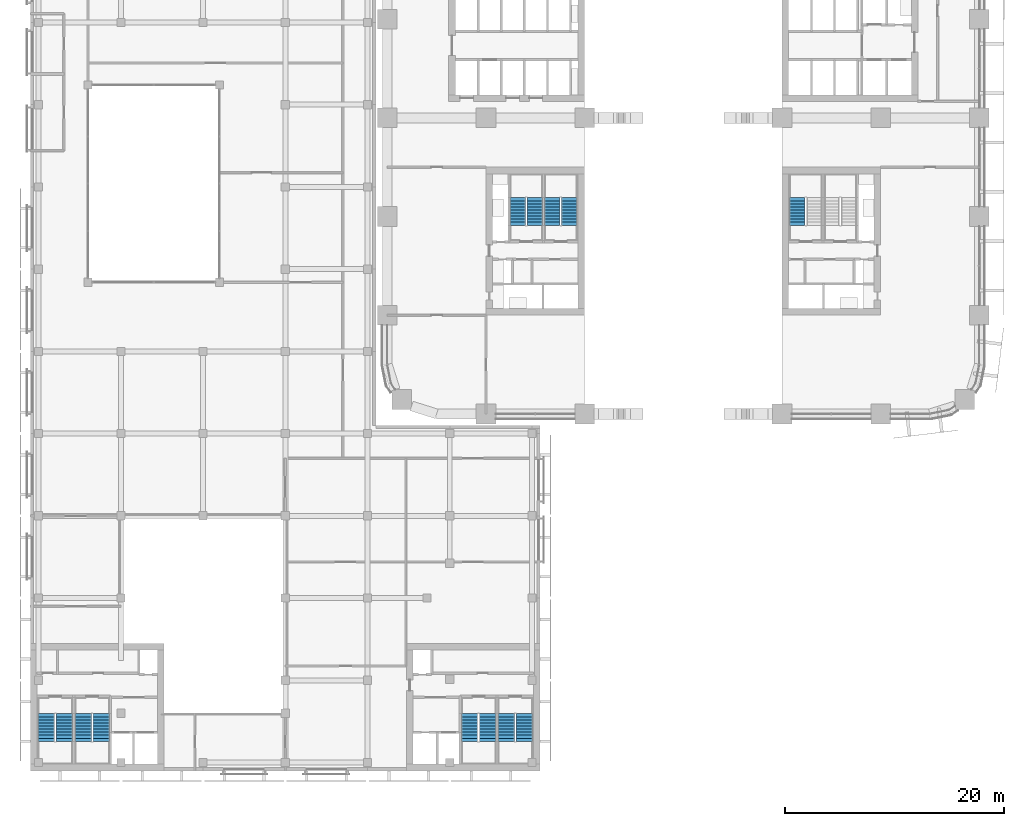
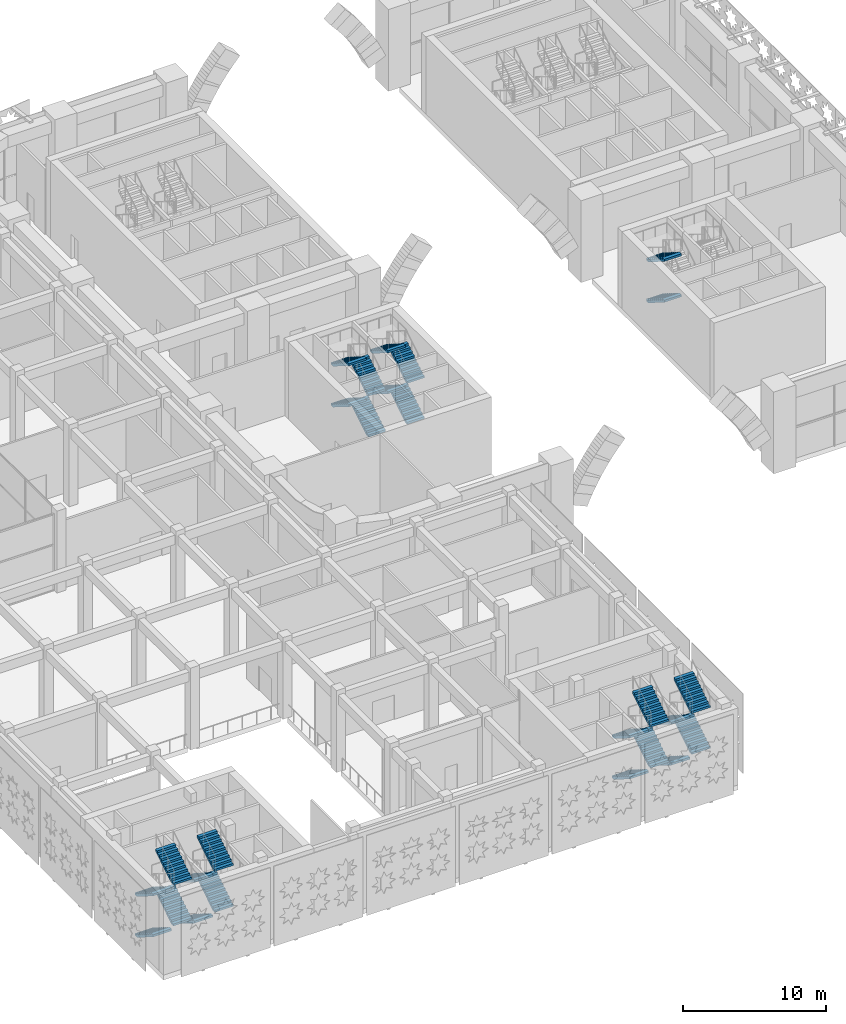
# One storey, part 24 of 42: 26 stair flights, 7 elements without a shape of their own.
"""IFC4 building model written with IfcOpenShell, lengths in metres."""

from ifc_helpers import new_model, si_unit, direction, frame, origin, place, context, subcontext, project, spatial, polyline, outline, extrude, material, type_object, element, aggregate, save


model = new_model("IFC4")

# Units and contexts
model_context = context("Model", 3, precision=1e-05, world=origin(), true_north=direction((0.0, 1.0)))
body_context = subcontext(model_context, "Body", "Model", "MODEL_VIEW")
ifc_project = project(units=[si_unit("LENGTHUNIT", "METRE"), si_unit("AREAUNIT", "SQUARE_METRE"), si_unit("VOLUMEUNIT", "CUBIC_METRE"), si_unit("PLANEANGLEUNIT", "RADIAN"), si_unit("MASSUNIT", "GRAM", prefix="KILO")], contexts=[model_context])

# Site, building, storey
site_placement = place(None, origin())
site = spatial("IfcSite", under=ifc_project, at=site_placement, CompositionType="ELEMENT")
building_placement = place(site_placement, origin())
building = spatial("IfcBuilding", under=site, at=building_placement, Name="Tessera Arch", CompositionType="ELEMENT")
storey_placement = place(building_placement, frame((0.0, 0.0, 14.0)))
storey = spatial("IfcBuildingStorey", under=building, at=storey_placement, Name="L02", CompositionType="ELEMENT", Elevation=14.0)

# Stair, stair flights
ifc_material_1 = material(Name="Concrete C40/50", Category="concrete")
stair_type_1 = type_object("IfcStairType", Name="Dogleg stair 1400", PredefinedType="HALF_TURN_STAIR", material=ifc_material_1)
stair_1_placement = place(storey_placement, origin())
stair_1 = element("IfcStair", 1, at=stair_1_placement, inside=storey, type_object=stair_type_1, Name="L02 S3a", PredefinedType="HALF_TURN_STAIR")
ifc_material_2 = material(Name="Concrete C40/50", Category="concrete")
stair_flight_type_1 = type_object("IfcStairFlightType", Name="Stair flight 1400", PredefinedType="STRAIGHT", material=ifc_material_2)
stair_flight_1_placement = place(storey_placement, frame((37.39990234375, 19.719970703125, 1.75), z_axis=(0.0, 0.0, 1.0), x_axis=(0.0, -1.0, 0.0)))
stair_flight_1 = element("IfcStairFlight", 2, at=stair_flight_1_placement, type_object=stair_flight_type_1, Name="S3a flight 2", NumberOfRisers=10, NumberOfTreads=9, PredefinedType="STRAIGHT", RiserHeight=0.175, TreadLength=0.28, context=body_context, shape_type="SweptSolid", body=[
    extrude(outline(polyline([(0.0, 0.0), (0.0, 0.175048828125), (0.280029296875, 0.175048828125), (0.280029296875, 0.35009765625), (0.56005859375, 0.35009765625), (0.56005859375, 0.52490234375), (0.840087890625, 0.52490234375), (0.840087890625, 0.699951171875), (1.1201171875, 0.699951171875), (1.1201171875, 0.875), (1.39990234375, 0.875), (1.39990234375, 1.050048828125), (1.679931640625, 1.050048828125), (1.679931640625, 1.22509765625), (1.9599609375, 1.22509765625), (1.9599609375, 1.39990234375), (2.239990234375, 1.39990234375), (2.239990234375, 1.574951171875), (2.52001953125, 1.574951171875), (2.52001953125, 1.75), (2.52001953125, 1.398193359375), (0.28271484375, 0.0), (0.0, 0.0)])), frame((0.0, 0.699951171875, 0.0), z_axis=(0.0, -1.0, 0.0), x_axis=(1.0, 0.0, 0.0)), (0.0, 0.0, 1.0), 1.39990234375),
])
stair_flight_2_placement = place(storey_placement, frame((37.39990234375, 19.719970703125, 5.25), z_axis=(0.0, 0.0, 1.0), x_axis=(0.0, -1.0, 0.0)))
stair_flight_2 = element("IfcStairFlight", 3, at=stair_flight_2_placement, type_object=stair_flight_type_1, Name="S3a flight 4", NumberOfRisers=10, NumberOfTreads=9, PredefinedType="STRAIGHT", RiserHeight=0.175, TreadLength=0.28, context=body_context, shape_type="SweptSolid", body=[
    extrude(outline(polyline([(0.0, 0.0), (0.0, 0.175048828125), (0.280029296875, 0.175048828125), (0.280029296875, 0.35009765625), (0.56005859375, 0.35009765625), (0.56005859375, 0.52490234375), (0.840087890625, 0.52490234375), (0.840087890625, 0.699951171875), (1.1201171875, 0.699951171875), (1.1201171875, 0.875), (1.39990234375, 0.875), (1.39990234375, 1.050048828125), (1.679931640625, 1.050048828125), (1.679931640625, 1.22509765625), (1.9599609375, 1.22509765625), (1.9599609375, 1.39990234375), (2.239990234375, 1.39990234375), (2.239990234375, 1.574951171875), (2.52001953125, 1.574951171875), (2.52001953125, 1.75), (2.52001953125, 1.398193359375), (0.28271484375, 0.0), (0.0, 0.0)])), frame((0.0, 0.699951171875, 0.0), z_axis=(0.0, -1.0, 0.0), x_axis=(1.0, 0.0, 0.0)), (0.0, 0.0, 1.0), 1.39990234375),
])
aggregate(stair_1, [stair_flight_1, stair_flight_2])

stair_2_placement = place(storey_placement, origin())
stair_2 = element("IfcStair", 4, at=stair_2_placement, inside=storey, type_object=stair_type_1, Name="L02 S4a", PredefinedType="HALF_TURN_STAIR")
stair_flight_3_placement = place(storey_placement, frame((16.60009765625, 17.199951171875, 0.0), z_axis=(0.0, 0.0, 1.0), x_axis=(0.0, 1.0, 0.0)))
stair_flight_3 = element("IfcStairFlight", 5, at=stair_flight_3_placement, type_object=stair_flight_type_1, Name="S4a flight 1", NumberOfRisers=10, NumberOfTreads=9, PredefinedType="STRAIGHT", RiserHeight=0.175, TreadLength=0.28, context=body_context, shape_type="SweptSolid", body=[
    extrude(outline(polyline([(0.0, 0.0), (0.0, 0.175048828125), (0.280029296875, 0.175048828125), (0.280029296875, 0.35009765625), (0.56005859375, 0.35009765625), (0.56005859375, 0.52490234375), (0.840087890625, 0.52490234375), (0.840087890625, 0.699951171875), (1.1201171875, 0.699951171875), (1.1201171875, 0.875), (1.39990234375, 0.875), (1.39990234375, 1.050048828125), (1.679931640625, 1.050048828125), (1.679931640625, 1.22509765625), (1.9599609375, 1.22509765625), (1.9599609375, 1.39990234375), (2.239990234375, 1.39990234375), (2.239990234375, 1.574951171875), (2.52001953125, 1.574951171875), (2.52001953125, 1.75), (2.52001953125, 1.398193359375), (0.28271484375, 0.0), (0.0, 0.0)])), frame((0.0, 0.699951171875, 0.0), z_axis=(0.0, -1.0, 0.0), x_axis=(1.0, 0.0, 0.0)), (0.0, 0.0, 1.0), 1.39990234375),
])
stair_flight_4_placement = place(storey_placement, frame((15.050048828125, 19.719970703125, 1.75), z_axis=(0.0, 0.0, 1.0), x_axis=(0.0, -1.0, 0.0)))
stair_flight_4 = element("IfcStairFlight", 6, at=stair_flight_4_placement, type_object=stair_flight_type_1, Name="S4a flight 2", NumberOfRisers=10, NumberOfTreads=9, PredefinedType="STRAIGHT", RiserHeight=0.175, TreadLength=0.28, context=body_context, shape_type="SweptSolid", body=[
    extrude(outline(polyline([(0.0, 0.0), (0.0, 0.175048828125), (0.280029296875, 0.175048828125), (0.280029296875, 0.35009765625), (0.56005859375, 0.35009765625), (0.56005859375, 0.52490234375), (0.840087890625, 0.52490234375), (0.840087890625, 0.699951171875), (1.1201171875, 0.699951171875), (1.1201171875, 0.875), (1.39990234375, 0.875), (1.39990234375, 1.050048828125), (1.679931640625, 1.050048828125), (1.679931640625, 1.22509765625), (1.9599609375, 1.22509765625), (1.9599609375, 1.39990234375), (2.239990234375, 1.39990234375), (2.239990234375, 1.574951171875), (2.52001953125, 1.574951171875), (2.52001953125, 1.75), (2.52001953125, 1.398193359375), (0.28271484375, 0.0), (0.0, 0.0)])), frame((0.0, 0.699951171875, 0.0), z_axis=(0.0, -1.0, 0.0), x_axis=(1.0, 0.0, 0.0)), (0.0, 0.0, 1.0), 1.39990234375),
])
stair_flight_5_placement = place(storey_placement, frame((16.60009765625, 17.199951171875, 3.5), z_axis=(0.0, 0.0, 1.0), x_axis=(0.0, 1.0, 0.0)))
stair_flight_5 = element("IfcStairFlight", 7, at=stair_flight_5_placement, type_object=stair_flight_type_1, Name="S4a flight 3", NumberOfRisers=10, NumberOfTreads=9, PredefinedType="STRAIGHT", RiserHeight=0.175, TreadLength=0.28, context=body_context, shape_type="SweptSolid", body=[
    extrude(outline(polyline([(0.0, 0.0), (0.0, 0.175048828125), (0.280029296875, 0.175048828125), (0.280029296875, 0.35009765625), (0.56005859375, 0.35009765625), (0.56005859375, 0.52490234375), (0.840087890625, 0.52490234375), (0.840087890625, 0.699951171875), (1.1201171875, 0.699951171875), (1.1201171875, 0.875), (1.39990234375, 0.875), (1.39990234375, 1.050048828125), (1.679931640625, 1.050048828125), (1.679931640625, 1.22509765625), (1.9599609375, 1.22509765625), (1.9599609375, 1.39990234375), (2.239990234375, 1.39990234375), (2.239990234375, 1.574951171875), (2.52001953125, 1.574951171875), (2.52001953125, 1.75), (2.52001953125, 1.398193359375), (0.28271484375, 0.0), (0.0, 0.0)])), frame((0.0, 0.699951171875, 0.0), z_axis=(0.0, -1.0, 0.0), x_axis=(1.0, 0.0, 0.0)), (0.0, 0.0, 1.0), 1.39990234375),
])
stair_flight_6_placement = place(storey_placement, frame((15.050048828125, 19.719970703125, 5.25), z_axis=(0.0, 0.0, 1.0), x_axis=(0.0, -1.0, 0.0)))
stair_flight_6 = element("IfcStairFlight", 8, at=stair_flight_6_placement, type_object=stair_flight_type_1, Name="S4a flight 4", NumberOfRisers=10, NumberOfTreads=9, PredefinedType="STRAIGHT", RiserHeight=0.175, TreadLength=0.28, context=body_context, shape_type="SweptSolid", body=[
    extrude(outline(polyline([(0.0, 0.0), (0.0, 0.175048828125), (0.280029296875, 0.175048828125), (0.280029296875, 0.35009765625), (0.56005859375, 0.35009765625), (0.56005859375, 0.52490234375), (0.840087890625, 0.52490234375), (0.840087890625, 0.699951171875), (1.1201171875, 0.699951171875), (1.1201171875, 0.875), (1.39990234375, 0.875), (1.39990234375, 1.050048828125), (1.679931640625, 1.050048828125), (1.679931640625, 1.22509765625), (1.9599609375, 1.22509765625), (1.9599609375, 1.39990234375), (2.239990234375, 1.39990234375), (2.239990234375, 1.574951171875), (2.52001953125, 1.574951171875), (2.52001953125, 1.75), (2.52001953125, 1.398193359375), (0.28271484375, 0.0), (0.0, 0.0)])), frame((0.0, 0.699951171875, 0.0), z_axis=(0.0, -1.0, 0.0), x_axis=(1.0, 0.0, 0.0)), (0.0, 0.0, 1.0), 1.39990234375),
])
aggregate(stair_2, [stair_flight_3, stair_flight_4, stair_flight_5, stair_flight_6])

stair_3_placement = place(storey_placement, origin())
stair_3 = element("IfcStair", 9, at=stair_3_placement, inside=storey, type_object=stair_type_1, Name="L02 S4b", PredefinedType="HALF_TURN_STAIR")
stair_flight_7_placement = place(storey_placement, frame((13.449951171875, 17.199951171875, 0.0), z_axis=(0.0, 0.0, 1.0), x_axis=(0.0, 1.0, 0.0)))
stair_flight_7 = element("IfcStairFlight", 10, at=stair_flight_7_placement, type_object=stair_flight_type_1, Name="S4b flight 1", NumberOfRisers=10, NumberOfTreads=9, PredefinedType="STRAIGHT", RiserHeight=0.175, TreadLength=0.28, context=body_context, shape_type="SweptSolid", body=[
    extrude(outline(polyline([(0.0, 0.0), (0.0, 0.175048828125), (0.280029296875, 0.175048828125), (0.280029296875, 0.35009765625), (0.56005859375, 0.35009765625), (0.56005859375, 0.52490234375), (0.840087890625, 0.52490234375), (0.840087890625, 0.699951171875), (1.1201171875, 0.699951171875), (1.1201171875, 0.875), (1.39990234375, 0.875), (1.39990234375, 1.050048828125), (1.679931640625, 1.050048828125), (1.679931640625, 1.22509765625), (1.9599609375, 1.22509765625), (1.9599609375, 1.39990234375), (2.239990234375, 1.39990234375), (2.239990234375, 1.574951171875), (2.52001953125, 1.574951171875), (2.52001953125, 1.75), (2.52001953125, 1.398193359375), (0.28271484375, 0.0), (0.0, 0.0)])), frame((0.0, 0.699951171875, 0.0), z_axis=(0.0, -1.0, 0.0), x_axis=(1.0, 0.0, 0.0)), (0.0, 0.0, 1.0), 1.39990234375),
])
stair_flight_8_placement = place(storey_placement, frame((11.89990234375, 19.719970703125, 1.75), z_axis=(0.0, 0.0, 1.0), x_axis=(0.0, -1.0, 0.0)))
stair_flight_8 = element("IfcStairFlight", 11, at=stair_flight_8_placement, type_object=stair_flight_type_1, Name="S4b flight 2", NumberOfRisers=10, NumberOfTreads=9, PredefinedType="STRAIGHT", RiserHeight=0.175, TreadLength=0.28, context=body_context, shape_type="SweptSolid", body=[
    extrude(outline(polyline([(0.0, 0.0), (0.0, 0.175048828125), (0.280029296875, 0.175048828125), (0.280029296875, 0.35009765625), (0.56005859375, 0.35009765625), (0.56005859375, 0.52490234375), (0.840087890625, 0.52490234375), (0.840087890625, 0.699951171875), (1.1201171875, 0.699951171875), (1.1201171875, 0.875), (1.39990234375, 0.875), (1.39990234375, 1.050048828125), (1.679931640625, 1.050048828125), (1.679931640625, 1.22509765625), (1.9599609375, 1.22509765625), (1.9599609375, 1.39990234375), (2.239990234375, 1.39990234375), (2.239990234375, 1.574951171875), (2.52001953125, 1.574951171875), (2.52001953125, 1.75), (2.52001953125, 1.398193359375), (0.28271484375, 0.0), (0.0, 0.0)])), frame((0.0, 0.699951171875, 0.0), z_axis=(0.0, -1.0, 0.0), x_axis=(1.0, 0.0, 0.0)), (0.0, 0.0, 1.0), 1.39990234375),
])
stair_flight_9_placement = place(storey_placement, frame((13.449951171875, 17.199951171875, 3.5), z_axis=(0.0, 0.0, 1.0), x_axis=(0.0, 1.0, 0.0)))
stair_flight_9 = element("IfcStairFlight", 12, at=stair_flight_9_placement, type_object=stair_flight_type_1, Name="S4b flight 3", NumberOfRisers=10, NumberOfTreads=9, PredefinedType="STRAIGHT", RiserHeight=0.175, TreadLength=0.28, context=body_context, shape_type="SweptSolid", body=[
    extrude(outline(polyline([(0.0, 0.0), (0.0, 0.175048828125), (0.280029296875, 0.175048828125), (0.280029296875, 0.35009765625), (0.56005859375, 0.35009765625), (0.56005859375, 0.52490234375), (0.840087890625, 0.52490234375), (0.840087890625, 0.699951171875), (1.1201171875, 0.699951171875), (1.1201171875, 0.875), (1.39990234375, 0.875), (1.39990234375, 1.050048828125), (1.679931640625, 1.050048828125), (1.679931640625, 1.22509765625), (1.9599609375, 1.22509765625), (1.9599609375, 1.39990234375), (2.239990234375, 1.39990234375), (2.239990234375, 1.574951171875), (2.52001953125, 1.574951171875), (2.52001953125, 1.75), (2.52001953125, 1.398193359375), (0.28271484375, 0.0), (0.0, 0.0)])), frame((0.0, 0.699951171875, 0.0), z_axis=(0.0, -1.0, 0.0), x_axis=(1.0, 0.0, 0.0)), (0.0, 0.0, 1.0), 1.39990234375),
])
stair_flight_10_placement = place(storey_placement, frame((11.89990234375, 19.719970703125, 5.25), z_axis=(0.0, 0.0, 1.0), x_axis=(0.0, -1.0, 0.0)))
stair_flight_10 = element("IfcStairFlight", 13, at=stair_flight_10_placement, type_object=stair_flight_type_1, Name="S4b flight 4", NumberOfRisers=10, NumberOfTreads=9, PredefinedType="STRAIGHT", RiserHeight=0.175, TreadLength=0.28, context=body_context, shape_type="SweptSolid", body=[
    extrude(outline(polyline([(0.0, 0.0), (0.0, 0.175048828125), (0.280029296875, 0.175048828125), (0.280029296875, 0.35009765625), (0.56005859375, 0.35009765625), (0.56005859375, 0.52490234375), (0.840087890625, 0.52490234375), (0.840087890625, 0.699951171875), (1.1201171875, 0.699951171875), (1.1201171875, 0.875), (1.39990234375, 0.875), (1.39990234375, 1.050048828125), (1.679931640625, 1.050048828125), (1.679931640625, 1.22509765625), (1.9599609375, 1.22509765625), (1.9599609375, 1.39990234375), (2.239990234375, 1.39990234375), (2.239990234375, 1.574951171875), (2.52001953125, 1.574951171875), (2.52001953125, 1.75), (2.52001953125, 1.398193359375), (0.28271484375, 0.0), (0.0, 0.0)])), frame((0.0, 0.699951171875, 0.0), z_axis=(0.0, -1.0, 0.0), x_axis=(1.0, 0.0, 0.0)), (0.0, 0.0, 1.0), 1.39990234375),
])
aggregate(stair_3, [stair_flight_7, stair_flight_8, stair_flight_9, stair_flight_10])

ifc_material_3 = material(Name="Concrete C40/50", Category="concrete")
stair_type_2 = type_object("IfcStairType", Name="Dogleg stair 1500", PredefinedType="HALF_TURN_STAIR", material=ifc_material_3)
stair_4_placement = place(storey_placement, origin())
stair_4 = element("IfcStair", 14, at=stair_4_placement, inside=storey, type_object=stair_type_2, Name="L02 M2a", PredefinedType="HALF_TURN_STAIR")
ifc_material_4 = material(Name="Concrete C40/50", Category="concrete")
stair_flight_type_2 = type_object("IfcStairFlightType", Name="Stair flight 1500", PredefinedType="STRAIGHT", material=ifc_material_4)
stair_flight_11_placement = place(storey_placement, frame((-31.10009765625, -27.35009765625, 0.0), z_axis=(0.0, 0.0, 1.0), x_axis=(0.0, -1.0, 0.0)))
stair_flight_11 = element("IfcStairFlight", 15, at=stair_flight_11_placement, type_object=stair_flight_type_2, Name="M2a flight 1", NumberOfRisers=10, NumberOfTreads=9, PredefinedType="STRAIGHT", RiserHeight=0.175, TreadLength=0.28, context=body_context, shape_type="SweptSolid", body=[
    extrude(outline(polyline([(0.0, 0.0), (0.0, 0.175048828125), (0.280029296875, 0.175048828125), (0.280029296875, 0.35009765625), (0.56005859375, 0.35009765625), (0.56005859375, 0.52490234375), (0.840087890625, 0.52490234375), (0.840087890625, 0.699951171875), (1.1201171875, 0.699951171875), (1.1201171875, 0.875), (1.39990234375, 0.875), (1.39990234375, 1.050048828125), (1.679931640625, 1.050048828125), (1.679931640625, 1.22509765625), (1.9599609375, 1.22509765625), (1.9599609375, 1.39990234375), (2.239990234375, 1.39990234375), (2.239990234375, 1.574951171875), (2.52001953125, 1.574951171875), (2.52001953125, 1.75), (2.52001953125, 1.398193359375), (0.28271484375, 0.0), (0.0, 0.0)])), frame((0.0, 0.75, 0.0), z_axis=(0.0, -1.0, 0.0), x_axis=(1.0, 0.0, 0.0)), (0.0, 0.0, 1.0), 1.5),
])
stair_flight_12_placement = place(storey_placement, frame((-29.449951171875, -29.8701171875, 1.75), z_axis=(0.0, 0.0, 1.0), x_axis=(0.0, 1.0, 0.0)))
stair_flight_12 = element("IfcStairFlight", 16, at=stair_flight_12_placement, type_object=stair_flight_type_2, Name="M2a flight 2", NumberOfRisers=10, NumberOfTreads=9, PredefinedType="STRAIGHT", RiserHeight=0.175, TreadLength=0.28, context=body_context, shape_type="SweptSolid", body=[
    extrude(outline(polyline([(0.0, 0.0), (0.0, 0.175048828125), (0.280029296875, 0.175048828125), (0.280029296875, 0.35009765625), (0.56005859375, 0.35009765625), (0.56005859375, 0.52490234375), (0.840087890625, 0.52490234375), (0.840087890625, 0.699951171875), (1.1201171875, 0.699951171875), (1.1201171875, 0.875), (1.39990234375, 0.875), (1.39990234375, 1.050048828125), (1.679931640625, 1.050048828125), (1.679931640625, 1.22509765625), (1.9599609375, 1.22509765625), (1.9599609375, 1.39990234375), (2.239990234375, 1.39990234375), (2.239990234375, 1.574951171875), (2.52001953125, 1.574951171875), (2.52001953125, 1.75), (2.52001953125, 1.398193359375), (0.28271484375, 0.0), (0.0, 0.0)])), frame((0.0, 0.75, 0.0), z_axis=(0.0, -1.0, 0.0), x_axis=(1.0, 0.0, 0.0)), (0.0, 0.0, 1.0), 1.5),
])
stair_flight_13_placement = place(storey_placement, frame((-31.10009765625, -27.35009765625, 3.5), z_axis=(0.0, 0.0, 1.0), x_axis=(0.0, -1.0, 0.0)))
stair_flight_13 = element("IfcStairFlight", 17, at=stair_flight_13_placement, type_object=stair_flight_type_2, Name="M2a flight 3", NumberOfRisers=10, NumberOfTreads=9, PredefinedType="STRAIGHT", RiserHeight=0.175, TreadLength=0.28, context=body_context, shape_type="SweptSolid", body=[
    extrude(outline(polyline([(0.0, 0.0), (0.0, 0.175048828125), (0.280029296875, 0.175048828125), (0.280029296875, 0.35009765625), (0.56005859375, 0.35009765625), (0.56005859375, 0.52490234375), (0.840087890625, 0.52490234375), (0.840087890625, 0.699951171875), (1.1201171875, 0.699951171875), (1.1201171875, 0.875), (1.39990234375, 0.875), (1.39990234375, 1.050048828125), (1.679931640625, 1.050048828125), (1.679931640625, 1.22509765625), (1.9599609375, 1.22509765625), (1.9599609375, 1.39990234375), (2.239990234375, 1.39990234375), (2.239990234375, 1.574951171875), (2.52001953125, 1.574951171875), (2.52001953125, 1.75), (2.52001953125, 1.398193359375), (0.28271484375, 0.0), (0.0, 0.0)])), frame((0.0, 0.75, 0.0), z_axis=(0.0, -1.0, 0.0), x_axis=(1.0, 0.0, 0.0)), (0.0, 0.0, 1.0), 1.5),
])
stair_flight_14_placement = place(storey_placement, frame((-29.449951171875, -29.8701171875, 5.25), z_axis=(0.0, 0.0, 1.0), x_axis=(0.0, 1.0, 0.0)))
stair_flight_14 = element("IfcStairFlight", 18, at=stair_flight_14_placement, type_object=stair_flight_type_2, Name="M2a flight 4", NumberOfRisers=10, NumberOfTreads=9, PredefinedType="STRAIGHT", RiserHeight=0.175, TreadLength=0.28, context=body_context, shape_type="SweptSolid", body=[
    extrude(outline(polyline([(0.0, 0.0), (0.0, 0.175048828125), (0.280029296875, 0.175048828125), (0.280029296875, 0.35009765625), (0.56005859375, 0.35009765625), (0.56005859375, 0.52490234375), (0.840087890625, 0.52490234375), (0.840087890625, 0.699951171875), (1.1201171875, 0.699951171875), (1.1201171875, 0.875), (1.39990234375, 0.875), (1.39990234375, 1.050048828125), (1.679931640625, 1.050048828125), (1.679931640625, 1.22509765625), (1.9599609375, 1.22509765625), (1.9599609375, 1.39990234375), (2.239990234375, 1.39990234375), (2.239990234375, 1.574951171875), (2.52001953125, 1.574951171875), (2.52001953125, 1.75), (2.52001953125, 1.398193359375), (0.28271484375, 0.0), (0.0, 0.0)])), frame((0.0, 0.75, 0.0), z_axis=(0.0, -1.0, 0.0), x_axis=(1.0, 0.0, 0.0)), (0.0, 0.0, 1.0), 1.5),
])
aggregate(stair_4, [stair_flight_11, stair_flight_12, stair_flight_13, stair_flight_14])

stair_5_placement = place(storey_placement, origin())
stair_5 = element("IfcStair", 19, at=stair_5_placement, inside=storey, type_object=stair_type_2, Name="L02 M2b", PredefinedType="HALF_TURN_STAIR")
stair_flight_15_placement = place(storey_placement, frame((-27.75, -27.35009765625, 0.0), z_axis=(0.0, 0.0, 1.0), x_axis=(0.0, -1.0, 0.0)))
stair_flight_15 = element("IfcStairFlight", 20, at=stair_flight_15_placement, type_object=stair_flight_type_2, Name="M2b flight 1", NumberOfRisers=10, NumberOfTreads=9, PredefinedType="STRAIGHT", RiserHeight=0.175, TreadLength=0.28, context=body_context, shape_type="SweptSolid", body=[
    extrude(outline(polyline([(0.0, 0.0), (0.0, 0.175048828125), (0.280029296875, 0.175048828125), (0.280029296875, 0.35009765625), (0.56005859375, 0.35009765625), (0.56005859375, 0.52490234375), (0.840087890625, 0.52490234375), (0.840087890625, 0.699951171875), (1.1201171875, 0.699951171875), (1.1201171875, 0.875), (1.39990234375, 0.875), (1.39990234375, 1.050048828125), (1.679931640625, 1.050048828125), (1.679931640625, 1.22509765625), (1.9599609375, 1.22509765625), (1.9599609375, 1.39990234375), (2.239990234375, 1.39990234375), (2.239990234375, 1.574951171875), (2.52001953125, 1.574951171875), (2.52001953125, 1.75), (2.52001953125, 1.398193359375), (0.28271484375, 0.0), (0.0, 0.0)])), frame((0.0, 0.75, 0.0), z_axis=(0.0, -1.0, 0.0), x_axis=(1.0, 0.0, 0.0)), (0.0, 0.0, 1.0), 1.5),
])
stair_flight_16_placement = place(storey_placement, frame((-26.10009765625, -29.8701171875, 1.75), z_axis=(0.0, 0.0, 1.0), x_axis=(0.0, 1.0, 0.0)))
stair_flight_16 = element("IfcStairFlight", 21, at=stair_flight_16_placement, type_object=stair_flight_type_2, Name="M2b flight 2", NumberOfRisers=10, NumberOfTreads=9, PredefinedType="STRAIGHT", RiserHeight=0.175, TreadLength=0.28, context=body_context, shape_type="SweptSolid", body=[
    extrude(outline(polyline([(0.0, 0.0), (0.0, 0.175048828125), (0.280029296875, 0.175048828125), (0.280029296875, 0.35009765625), (0.56005859375, 0.35009765625), (0.56005859375, 0.52490234375), (0.840087890625, 0.52490234375), (0.840087890625, 0.699951171875), (1.1201171875, 0.699951171875), (1.1201171875, 0.875), (1.39990234375, 0.875), (1.39990234375, 1.050048828125), (1.679931640625, 1.050048828125), (1.679931640625, 1.22509765625), (1.9599609375, 1.22509765625), (1.9599609375, 1.39990234375), (2.239990234375, 1.39990234375), (2.239990234375, 1.574951171875), (2.52001953125, 1.574951171875), (2.52001953125, 1.75), (2.52001953125, 1.398193359375), (0.28271484375, 0.0), (0.0, 0.0)])), frame((0.0, 0.75, 0.0), z_axis=(0.0, -1.0, 0.0), x_axis=(1.0, 0.0, 0.0)), (0.0, 0.0, 1.0), 1.5),
])
stair_flight_17_placement = place(storey_placement, frame((-27.75, -27.35009765625, 3.5), z_axis=(0.0, 0.0, 1.0), x_axis=(0.0, -1.0, 0.0)))
stair_flight_17 = element("IfcStairFlight", 22, at=stair_flight_17_placement, type_object=stair_flight_type_2, Name="M2b flight 3", NumberOfRisers=10, NumberOfTreads=9, PredefinedType="STRAIGHT", RiserHeight=0.175, TreadLength=0.28, context=body_context, shape_type="SweptSolid", body=[
    extrude(outline(polyline([(0.0, 0.0), (0.0, 0.175048828125), (0.280029296875, 0.175048828125), (0.280029296875, 0.35009765625), (0.56005859375, 0.35009765625), (0.56005859375, 0.52490234375), (0.840087890625, 0.52490234375), (0.840087890625, 0.699951171875), (1.1201171875, 0.699951171875), (1.1201171875, 0.875), (1.39990234375, 0.875), (1.39990234375, 1.050048828125), (1.679931640625, 1.050048828125), (1.679931640625, 1.22509765625), (1.9599609375, 1.22509765625), (1.9599609375, 1.39990234375), (2.239990234375, 1.39990234375), (2.239990234375, 1.574951171875), (2.52001953125, 1.574951171875), (2.52001953125, 1.75), (2.52001953125, 1.398193359375), (0.28271484375, 0.0), (0.0, 0.0)])), frame((0.0, 0.75, 0.0), z_axis=(0.0, -1.0, 0.0), x_axis=(1.0, 0.0, 0.0)), (0.0, 0.0, 1.0), 1.5),
])
stair_flight_18_placement = place(storey_placement, frame((-26.10009765625, -29.8701171875, 5.25), z_axis=(0.0, 0.0, 1.0), x_axis=(0.0, 1.0, 0.0)))
stair_flight_18 = element("IfcStairFlight", 23, at=stair_flight_18_placement, type_object=stair_flight_type_2, Name="M2b flight 4", NumberOfRisers=10, NumberOfTreads=9, PredefinedType="STRAIGHT", RiserHeight=0.175, TreadLength=0.28, context=body_context, shape_type="SweptSolid", body=[
    extrude(outline(polyline([(0.0, 0.0), (0.0, 0.175048828125), (0.280029296875, 0.175048828125), (0.280029296875, 0.35009765625), (0.56005859375, 0.35009765625), (0.56005859375, 0.52490234375), (0.840087890625, 0.52490234375), (0.840087890625, 0.699951171875), (1.1201171875, 0.699951171875), (1.1201171875, 0.875), (1.39990234375, 0.875), (1.39990234375, 1.050048828125), (1.679931640625, 1.050048828125), (1.679931640625, 1.22509765625), (1.9599609375, 1.22509765625), (1.9599609375, 1.39990234375), (2.239990234375, 1.39990234375), (2.239990234375, 1.574951171875), (2.52001953125, 1.574951171875), (2.52001953125, 1.75), (2.52001953125, 1.398193359375), (0.28271484375, 0.0), (0.0, 0.0)])), frame((0.0, 0.75, 0.0), z_axis=(0.0, -1.0, 0.0), x_axis=(1.0, 0.0, 0.0)), (0.0, 0.0, 1.0), 1.5),
])
aggregate(stair_5, [stair_flight_15, stair_flight_16, stair_flight_17, stair_flight_18])

stair_6_placement = place(storey_placement, origin())
stair_6 = element("IfcStair", 24, at=stair_6_placement, inside=storey, type_object=stair_type_2, Name="L02 M3a", PredefinedType="HALF_TURN_STAIR")
stair_flight_19_placement = place(storey_placement, frame((10.85009765625, -27.35009765625, 0.0), z_axis=(0.0, 0.0, 1.0), x_axis=(0.0, -1.0, 0.0)))
stair_flight_19 = element("IfcStairFlight", 25, at=stair_flight_19_placement, type_object=stair_flight_type_2, Name="M3a flight 1", NumberOfRisers=10, NumberOfTreads=9, PredefinedType="STRAIGHT", RiserHeight=0.175, TreadLength=0.28, context=body_context, shape_type="SweptSolid", body=[
    extrude(outline(polyline([(0.0, 0.0), (0.0, 0.175048828125), (0.280029296875, 0.175048828125), (0.280029296875, 0.35009765625), (0.56005859375, 0.35009765625), (0.56005859375, 0.52490234375), (0.840087890625, 0.52490234375), (0.840087890625, 0.699951171875), (1.1201171875, 0.699951171875), (1.1201171875, 0.875), (1.39990234375, 0.875), (1.39990234375, 1.050048828125), (1.679931640625, 1.050048828125), (1.679931640625, 1.22509765625), (1.9599609375, 1.22509765625), (1.9599609375, 1.39990234375), (2.239990234375, 1.39990234375), (2.239990234375, 1.574951171875), (2.52001953125, 1.574951171875), (2.52001953125, 1.75), (2.52001953125, 1.398193359375), (0.28271484375, 0.0), (0.0, 0.0)])), frame((0.0, 0.75, 0.0), z_axis=(0.0, -1.0, 0.0), x_axis=(1.0, 0.0, 0.0)), (0.0, 0.0, 1.0), 1.5),
])
stair_flight_20_placement = place(storey_placement, frame((12.5, -29.8701171875, 1.75), z_axis=(0.0, 0.0, 1.0), x_axis=(0.0, 1.0, 0.0)))
stair_flight_20 = element("IfcStairFlight", 26, at=stair_flight_20_placement, type_object=stair_flight_type_2, Name="M3a flight 2", NumberOfRisers=10, NumberOfTreads=9, PredefinedType="STRAIGHT", RiserHeight=0.175, TreadLength=0.28, context=body_context, shape_type="SweptSolid", body=[
    extrude(outline(polyline([(0.0, 0.0), (0.0, 0.175048828125), (0.280029296875, 0.175048828125), (0.280029296875, 0.35009765625), (0.56005859375, 0.35009765625), (0.56005859375, 0.52490234375), (0.840087890625, 0.52490234375), (0.840087890625, 0.699951171875), (1.1201171875, 0.699951171875), (1.1201171875, 0.875), (1.39990234375, 0.875), (1.39990234375, 1.050048828125), (1.679931640625, 1.050048828125), (1.679931640625, 1.22509765625), (1.9599609375, 1.22509765625), (1.9599609375, 1.39990234375), (2.239990234375, 1.39990234375), (2.239990234375, 1.574951171875), (2.52001953125, 1.574951171875), (2.52001953125, 1.75), (2.52001953125, 1.398193359375), (0.28271484375, 0.0), (0.0, 0.0)])), frame((0.0, 0.75, 0.0), z_axis=(0.0, -1.0, 0.0), x_axis=(1.0, 0.0, 0.0)), (0.0, 0.0, 1.0), 1.5),
])
stair_flight_21_placement = place(storey_placement, frame((10.85009765625, -27.35009765625, 3.5), z_axis=(0.0, 0.0, 1.0), x_axis=(0.0, -1.0, 0.0)))
stair_flight_21 = element("IfcStairFlight", 27, at=stair_flight_21_placement, type_object=stair_flight_type_2, Name="M3a flight 3", NumberOfRisers=10, NumberOfTreads=9, PredefinedType="STRAIGHT", RiserHeight=0.175, TreadLength=0.28, context=body_context, shape_type="SweptSolid", body=[
    extrude(outline(polyline([(0.0, 0.0), (0.0, 0.175048828125), (0.280029296875, 0.175048828125), (0.280029296875, 0.35009765625), (0.56005859375, 0.35009765625), (0.56005859375, 0.52490234375), (0.840087890625, 0.52490234375), (0.840087890625, 0.699951171875), (1.1201171875, 0.699951171875), (1.1201171875, 0.875), (1.39990234375, 0.875), (1.39990234375, 1.050048828125), (1.679931640625, 1.050048828125), (1.679931640625, 1.22509765625), (1.9599609375, 1.22509765625), (1.9599609375, 1.39990234375), (2.239990234375, 1.39990234375), (2.239990234375, 1.574951171875), (2.52001953125, 1.574951171875), (2.52001953125, 1.75), (2.52001953125, 1.398193359375), (0.28271484375, 0.0), (0.0, 0.0)])), frame((0.0, 0.75, 0.0), z_axis=(0.0, -1.0, 0.0), x_axis=(1.0, 0.0, 0.0)), (0.0, 0.0, 1.0), 1.5),
])
stair_flight_22_placement = place(storey_placement, frame((12.5, -29.8701171875, 5.25), z_axis=(0.0, 0.0, 1.0), x_axis=(0.0, 1.0, 0.0)))
stair_flight_22 = element("IfcStairFlight", 28, at=stair_flight_22_placement, type_object=stair_flight_type_2, Name="M3a flight 4", NumberOfRisers=10, NumberOfTreads=9, PredefinedType="STRAIGHT", RiserHeight=0.175, TreadLength=0.28, context=body_context, shape_type="SweptSolid", body=[
    extrude(outline(polyline([(0.0, 0.0), (0.0, 0.175048828125), (0.280029296875, 0.175048828125), (0.280029296875, 0.35009765625), (0.56005859375, 0.35009765625), (0.56005859375, 0.52490234375), (0.840087890625, 0.52490234375), (0.840087890625, 0.699951171875), (1.1201171875, 0.699951171875), (1.1201171875, 0.875), (1.39990234375, 0.875), (1.39990234375, 1.050048828125), (1.679931640625, 1.050048828125), (1.679931640625, 1.22509765625), (1.9599609375, 1.22509765625), (1.9599609375, 1.39990234375), (2.239990234375, 1.39990234375), (2.239990234375, 1.574951171875), (2.52001953125, 1.574951171875), (2.52001953125, 1.75), (2.52001953125, 1.398193359375), (0.28271484375, 0.0), (0.0, 0.0)])), frame((0.0, 0.75, 0.0), z_axis=(0.0, -1.0, 0.0), x_axis=(1.0, 0.0, 0.0)), (0.0, 0.0, 1.0), 1.5),
])
aggregate(stair_6, [stair_flight_19, stair_flight_20, stair_flight_21, stair_flight_22])

stair_7_placement = place(storey_placement, origin())
stair_7 = element("IfcStair", 29, at=stair_7_placement, inside=storey, type_object=stair_type_2, Name="L02 M3b", PredefinedType="HALF_TURN_STAIR")
stair_flight_23_placement = place(storey_placement, frame((7.5, -27.35009765625, 0.0), z_axis=(0.0, 0.0, 1.0), x_axis=(0.0, -1.0, 0.0)))
stair_flight_23 = element("IfcStairFlight", 30, at=stair_flight_23_placement, type_object=stair_flight_type_2, Name="M3b flight 1", NumberOfRisers=10, NumberOfTreads=9, PredefinedType="STRAIGHT", RiserHeight=0.175, TreadLength=0.28, context=body_context, shape_type="SweptSolid", body=[
    extrude(outline(polyline([(0.0, 0.0), (0.0, 0.175048828125), (0.280029296875, 0.175048828125), (0.280029296875, 0.35009765625), (0.56005859375, 0.35009765625), (0.56005859375, 0.52490234375), (0.840087890625, 0.52490234375), (0.840087890625, 0.699951171875), (1.1201171875, 0.699951171875), (1.1201171875, 0.875), (1.39990234375, 0.875), (1.39990234375, 1.050048828125), (1.679931640625, 1.050048828125), (1.679931640625, 1.22509765625), (1.9599609375, 1.22509765625), (1.9599609375, 1.39990234375), (2.239990234375, 1.39990234375), (2.239990234375, 1.574951171875), (2.52001953125, 1.574951171875), (2.52001953125, 1.75), (2.52001953125, 1.398193359375), (0.28271484375, 0.0), (0.0, 0.0)])), frame((0.0, 0.75, 0.0), z_axis=(0.0, -1.0, 0.0), x_axis=(1.0, 0.0, 0.0)), (0.0, 0.0, 1.0), 1.5),
])
stair_flight_24_placement = place(storey_placement, frame((9.14990234375, -29.8701171875, 1.75), z_axis=(0.0, 0.0, 1.0), x_axis=(0.0, 1.0, 0.0)))
stair_flight_24 = element("IfcStairFlight", 31, at=stair_flight_24_placement, type_object=stair_flight_type_2, Name="M3b flight 2", NumberOfRisers=10, NumberOfTreads=9, PredefinedType="STRAIGHT", RiserHeight=0.175, TreadLength=0.28, context=body_context, shape_type="SweptSolid", body=[
    extrude(outline(polyline([(0.0, 0.0), (0.0, 0.175048828125), (0.280029296875, 0.175048828125), (0.280029296875, 0.35009765625), (0.56005859375, 0.35009765625), (0.56005859375, 0.52490234375), (0.840087890625, 0.52490234375), (0.840087890625, 0.699951171875), (1.1201171875, 0.699951171875), (1.1201171875, 0.875), (1.39990234375, 0.875), (1.39990234375, 1.050048828125), (1.679931640625, 1.050048828125), (1.679931640625, 1.22509765625), (1.9599609375, 1.22509765625), (1.9599609375, 1.39990234375), (2.239990234375, 1.39990234375), (2.239990234375, 1.574951171875), (2.52001953125, 1.574951171875), (2.52001953125, 1.75), (2.52001953125, 1.398193359375), (0.28271484375, 0.0), (0.0, 0.0)])), frame((0.0, 0.75, 0.0), z_axis=(0.0, -1.0, 0.0), x_axis=(1.0, 0.0, 0.0)), (0.0, 0.0, 1.0), 1.5),
])
stair_flight_25_placement = place(storey_placement, frame((7.5, -27.35009765625, 3.5), z_axis=(0.0, 0.0, 1.0), x_axis=(0.0, -1.0, 0.0)))
stair_flight_25 = element("IfcStairFlight", 32, at=stair_flight_25_placement, type_object=stair_flight_type_2, Name="M3b flight 3", NumberOfRisers=10, NumberOfTreads=9, PredefinedType="STRAIGHT", RiserHeight=0.175, TreadLength=0.28, context=body_context, shape_type="SweptSolid", body=[
    extrude(outline(polyline([(0.0, 0.0), (0.0, 0.175048828125), (0.280029296875, 0.175048828125), (0.280029296875, 0.35009765625), (0.56005859375, 0.35009765625), (0.56005859375, 0.52490234375), (0.840087890625, 0.52490234375), (0.840087890625, 0.699951171875), (1.1201171875, 0.699951171875), (1.1201171875, 0.875), (1.39990234375, 0.875), (1.39990234375, 1.050048828125), (1.679931640625, 1.050048828125), (1.679931640625, 1.22509765625), (1.9599609375, 1.22509765625), (1.9599609375, 1.39990234375), (2.239990234375, 1.39990234375), (2.239990234375, 1.574951171875), (2.52001953125, 1.574951171875), (2.52001953125, 1.75), (2.52001953125, 1.398193359375), (0.28271484375, 0.0), (0.0, 0.0)])), frame((0.0, 0.75, 0.0), z_axis=(0.0, -1.0, 0.0), x_axis=(1.0, 0.0, 0.0)), (0.0, 0.0, 1.0), 1.5),
])
stair_flight_26_placement = place(storey_placement, frame((9.14990234375, -29.8701171875, 5.25), z_axis=(0.0, 0.0, 1.0), x_axis=(0.0, 1.0, 0.0)))
stair_flight_26 = element("IfcStairFlight", 33, at=stair_flight_26_placement, type_object=stair_flight_type_2, Name="M3b flight 4", NumberOfRisers=10, NumberOfTreads=9, PredefinedType="STRAIGHT", RiserHeight=0.175, TreadLength=0.28, context=body_context, shape_type="SweptSolid", body=[
    extrude(outline(polyline([(0.0, 0.0), (0.0, 0.175048828125), (0.280029296875, 0.175048828125), (0.280029296875, 0.35009765625), (0.56005859375, 0.35009765625), (0.56005859375, 0.52490234375), (0.840087890625, 0.52490234375), (0.840087890625, 0.699951171875), (1.1201171875, 0.699951171875), (1.1201171875, 0.875), (1.39990234375, 0.875), (1.39990234375, 1.050048828125), (1.679931640625, 1.050048828125), (1.679931640625, 1.22509765625), (1.9599609375, 1.22509765625), (1.9599609375, 1.39990234375), (2.239990234375, 1.39990234375), (2.239990234375, 1.574951171875), (2.52001953125, 1.574951171875), (2.52001953125, 1.75), (2.52001953125, 1.398193359375), (0.28271484375, 0.0), (0.0, 0.0)])), frame((0.0, 0.75, 0.0), z_axis=(0.0, -1.0, 0.0), x_axis=(1.0, 0.0, 0.0)), (0.0, 0.0, 1.0), 1.5),
])
aggregate(stair_7, [stair_flight_23, stair_flight_24, stair_flight_25, stair_flight_26])

save(model, "model.ifc")
